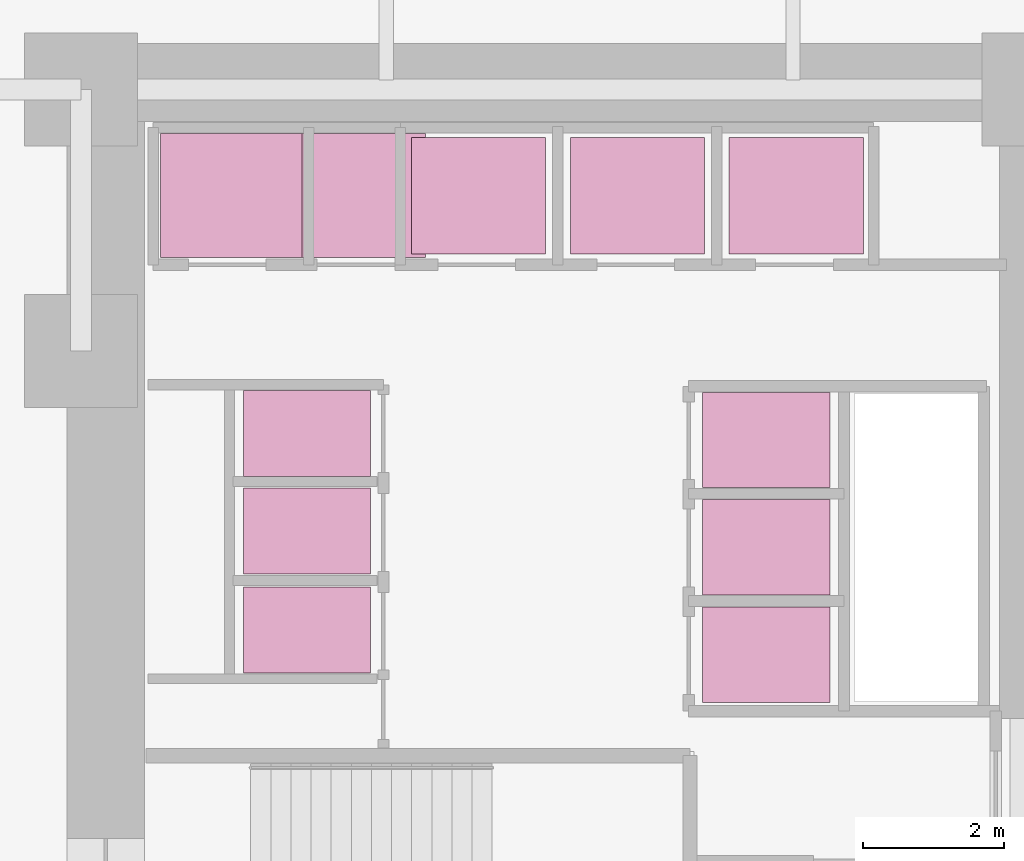
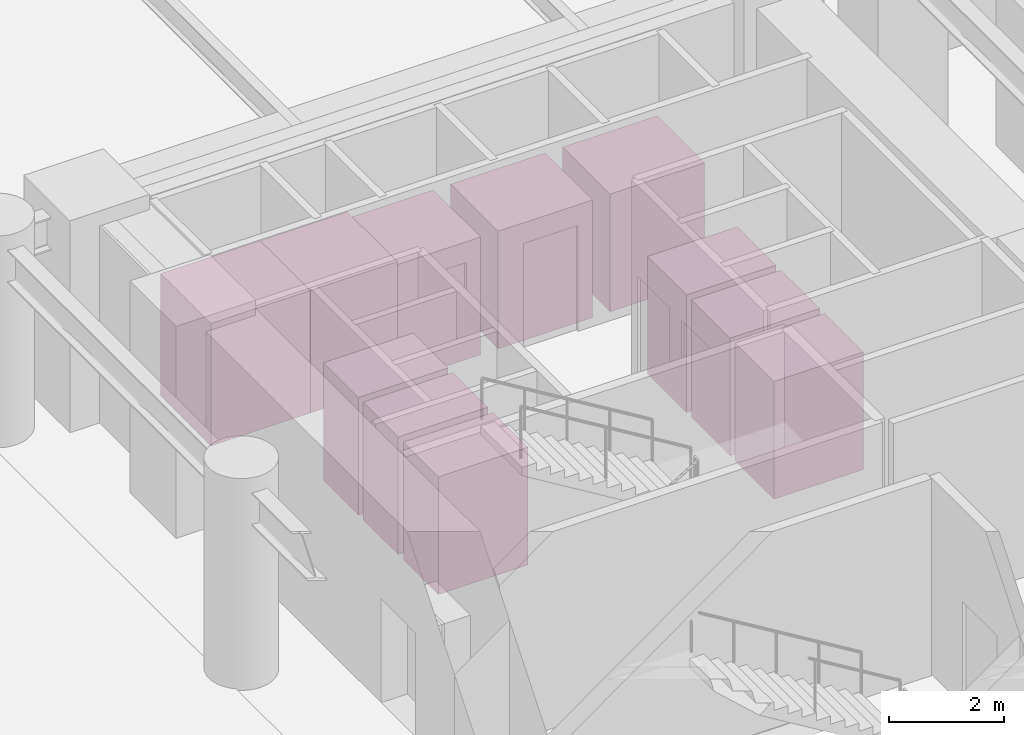
# One storey, part 42 of 42: 11 transport elements.
"""IFC4 building model written with IfcOpenShell, lengths in metres."""

from ifc_helpers import new_model, si_unit, direction, frame, origin, origin_2d, place, context, subcontext, project, spatial, rectangle, extrude, material, type_object, element, save


model = new_model("IFC4")

# Units and contexts
model_context = context("Model", 3, precision=1e-05, world=origin(), true_north=direction((0.0, 1.0)))
body_context = subcontext(model_context, "Body", "Model", "MODEL_VIEW")
ifc_project = project(units=[si_unit("LENGTHUNIT", "METRE"), si_unit("AREAUNIT", "SQUARE_METRE"), si_unit("VOLUMEUNIT", "CUBIC_METRE"), si_unit("PLANEANGLEUNIT", "RADIAN"), si_unit("MASSUNIT", "GRAM", prefix="KILO")], contexts=[model_context])

# Site, building, storey
site_placement = place(None, origin())
site = spatial("IfcSite", under=ifc_project, at=site_placement, CompositionType="ELEMENT")
building_placement = place(site_placement, origin())
building = spatial("IfcBuilding", under=site, at=building_placement, Name="Narakoshi Arena Tower", CompositionType="ELEMENT")
storey_placement = place(building_placement, origin())
storey = spatial("IfcBuildingStorey", under=building, at=storey_placement, Name="L00", CompositionType="ELEMENT", Elevation=0.0)

# Transport elements
ifc_material = material(Name="Brushed bronze stainless steel", Category="steel")
transport_element_type_1 = type_object("IfcTransportElementType", Name="LFT-EXPRESS", PredefinedType="ELEVATOR", material=ifc_material)
for number, where, z_axis, x_axis, name in (
    (1, (74.125, 55.0, 0.0), (0.0, 0.0, 1.0), (1.0, 0.0, 0.0), "LFT-OBS1"),
    (2, (75.875, 55.0, 0.0), (0.0, 0.0, 1.0), (1.0, 0.0, 0.0), "LFT-OBS2"),
):
    element("IfcTransportElement", number, at=place(storey_placement, frame(where, z_axis=z_axis, x_axis=x_axis)), inside=storey, type_object=transport_element_type_1, Name=name, PredefinedType="ELEVATOR", context=body_context, shape_type="SweptSolid", body=[
        extrude(rectangle(XDim=2.0, YDim=1.75, at=origin_2d()), origin(), (0.0, 0.0, 1.0), 2.60009765625),
    ])
transport_element_type_2 = type_object("IfcTransportElementType", Name="LFT-PASS-HR", PredefinedType="ELEVATOR", material=ifc_material)
for number, where, z_axis, x_axis, name in (
    (3, (77.625, 55.0, 0.0), (0.0, 0.0, 1.0), (1.0, 0.0, 0.0), "LFT-HR1"),
    (4, (79.875, 55.0, 0.0), (0.0, 0.0, 1.0), (1.0, 0.0, 0.0), "LFT-HR2"),
    (5, (82.125, 55.0, 0.0), (0.0, 0.0, 1.0), (1.0, 0.0, 0.0), "LFT-HR3"),
):
    element("IfcTransportElement", number, at=place(storey_placement, frame(where, z_axis=z_axis, x_axis=x_axis)), inside=storey, type_object=transport_element_type_2, Name=name, PredefinedType="ELEVATOR", context=body_context, shape_type="SweptSolid", body=[
        extrude(rectangle(XDim=1.89990234375, YDim=1.64990234375, at=origin_2d()), origin(), (0.0, 0.0, 1.0), 2.5),
    ])
transport_element_type_3 = type_object("IfcTransportElementType", Name="LFT-PASS-LR", PredefinedType="ELEVATOR", material=ifc_material)
for number, where, z_axis, x_axis, name in (
    (6, (75.199951171875, 48.85009765625, 0.0), (0.0, 0.0, 1.0), (1.0, 0.0, 0.0), "LFT-LR1"),
    (7, (75.199951171875, 50.25, 0.0), (0.0, 0.0, 1.0), (1.0, 0.0, 0.0), "LFT-LR2"),
    (8, (75.199951171875, 51.6298828125, 0.0), (0.0, 0.0, 1.0), (1.0, 0.0, 0.0), "LFT-LR3"),
):
    element("IfcTransportElement", number, at=place(storey_placement, frame(where, z_axis=z_axis, x_axis=x_axis)), inside=storey, type_object=transport_element_type_3, Name=name, PredefinedType="ELEVATOR", context=body_context, shape_type="SweptSolid", body=[
        extrude(rectangle(XDim=1.800048828125, YDim=1.219970703125, at=origin_2d()), origin(), (0.0, 0.0, 1.0), 2.5),
    ])
transport_element_type_4 = type_object("IfcTransportElementType", Name="LFT-PASS-MR", PredefinedType="ELEVATOR", material=ifc_material)
for number, where, z_axis, x_axis, name in (
    (9, (81.699951171875, 48.5, 0.0), (0.0, 0.0, 1.0), (1.0, 0.0, 0.0), "LFT-MR1"),
    (10, (81.699951171875, 50.02001953125, 0.0), (0.0, 0.0, 1.0), (1.0, 0.0, 0.0), "LFT-MR2"),
    (11, (81.699951171875, 51.5400390625, 0.0), (0.0, 0.0, 1.0), (1.0, 0.0, 0.0), "LFT-MR3"),
):
    element("IfcTransportElement", number, at=place(storey_placement, frame(where, z_axis=z_axis, x_axis=x_axis)), inside=storey, type_object=transport_element_type_4, Name=name, PredefinedType="ELEVATOR", context=body_context, shape_type="SweptSolid", body=[
        extrude(rectangle(XDim=1.800048828125, YDim=1.35009765625, at=origin_2d()), origin(), (0.0, 0.0, 1.0), 2.5),
    ])

save(model, "model.ifc")
